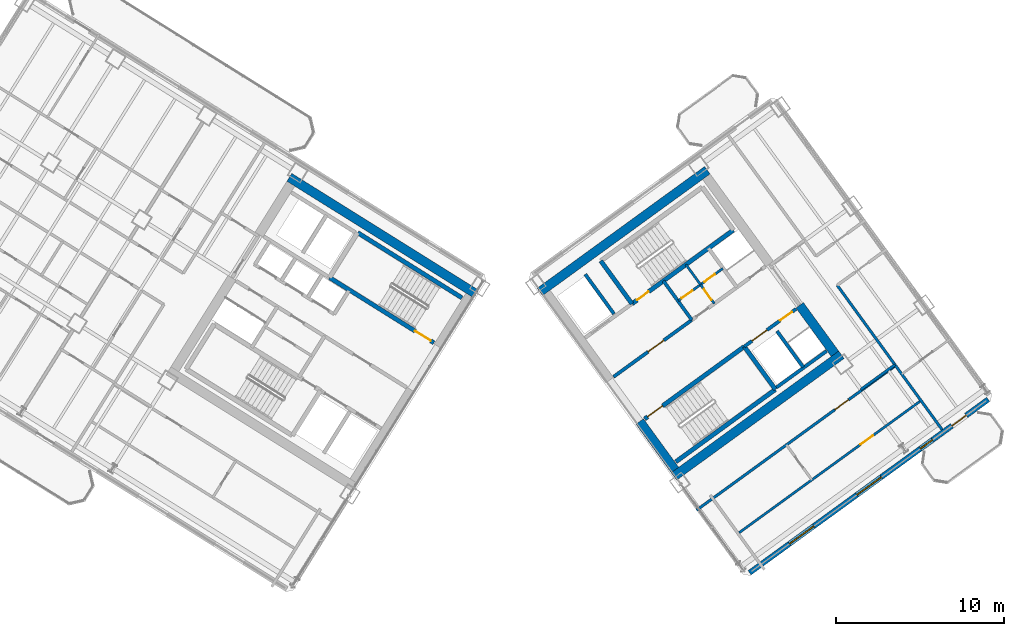
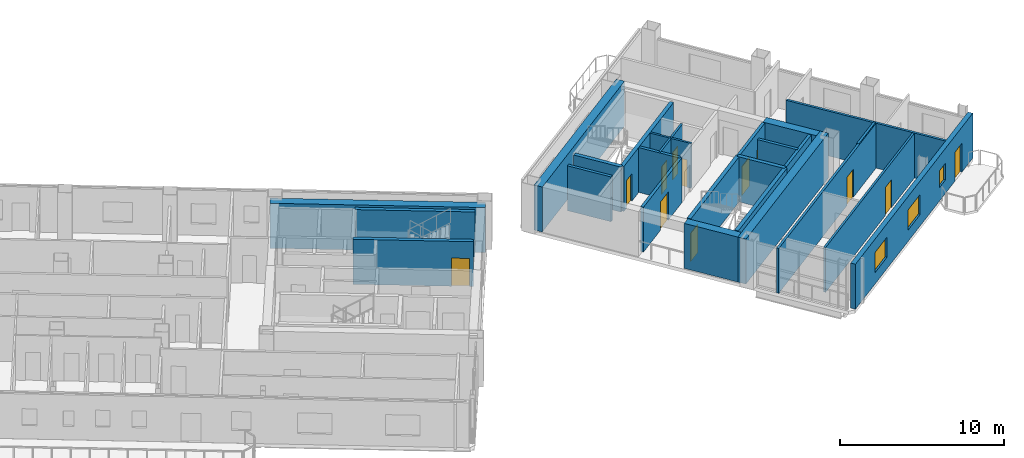
# One storey, part 13 of 19: 26 walls, 12 doors, 3 windows, 15 openings.
"""IFC4 building model written with IfcOpenShell, lengths in metres."""

from ifc_helpers import new_model, si_unit, direction, frame, frame_2d, origin, place, context, subcontext, project, spatial, rectangle, extrude, source, transform, mapped, material, layer, layer_set, type_object, element, fill, save


model = new_model("IFC4")

# Units and contexts
model_context = context("Model", 3, precision=1e-05, world=origin(), true_north=direction((0.0, 1.0)))
body_context = subcontext(model_context, "Body", "Model", "MODEL_VIEW")
ifc_project = project(units=[si_unit("LENGTHUNIT", "METRE"), si_unit("AREAUNIT", "SQUARE_METRE"), si_unit("VOLUMEUNIT", "CUBIC_METRE"), si_unit("PLANEANGLEUNIT", "RADIAN"), si_unit("MASSUNIT", "GRAM", prefix="KILO")], contexts=[model_context])

# Site, building, storey
site_placement = place(None, origin())
site = spatial("IfcSite", under=ifc_project, at=site_placement, CompositionType="ELEMENT")
building_placement = place(site_placement, origin())
building = spatial("IfcBuilding", under=site, at=building_placement, Name="Tlacorven Tower", CompositionType="ELEMENT")
storey_placement = place(building_placement, frame((0.0, 0.0, 144.300048828125)))
storey = spatial("IfcBuildingStorey", under=building, at=storey_placement, Name="L36", CompositionType="ELEMENT", Elevation=144.300048828125)

# Walls
ifc_material_1 = material(Name="Concrete C60/75", Category="concrete")
ifc_layer_1 = layer(ifc_material_1, 0.550048828125)
ifc_layer_set_1 = layer_set([ifc_layer_1], Name="Concrete C60/75")
wall_type_1 = type_object("IfcWallType", Name="WL-COR-550", PredefinedType="SHEAR", material=ifc_layer_set_1)
wall_1_placement = place(storey_placement, frame((40.572998046875, 24.010009765625, 0.0), z_axis=(0.0, 0.0, 1.0), x_axis=(-0.848047359947, 0.529920442413, 0.0)))
element("IfcWall", 1, at=wall_1_placement, inside=storey, type_object=wall_type_1, Name="L36 W core shear wall S1", PredefinedType="SHEAR", context=body_context, shape_type="SweptSolid", body=[
    extrude(rectangle(XDim=13.139892578125, YDim=0.550048828125, at=frame_2d((6.56982421875, 0.0))), origin(), (0.0, 0.0, 1.0), 3.349853515625),
])
for number, where, z_axis, x_axis, name in (
    (2, (52.35888671875, 13.1396484375, 0.0), (0.0, 0.0, 1.0), (0.809014896919, 0.587788139183, 0.0), "L36 E core shear wall S1"),
    (3, (44.364990234375, 24.142333984375, 0.0), (0.0, 0.0, 1.0), (0.809024304885, 0.587775190107, 0.0), "L36 E core shear wall S2"),
):
    element("IfcWall", number, at=place(storey_placement, frame(where, z_axis=z_axis, x_axis=x_axis)), inside=storey, type_object=wall_type_1, Name=name, PredefinedType="SHEAR", context=body_context, shape_type="SweptSolid", body=[
        extrude(rectangle(XDim=12.340087890625, YDim=0.550048828125, at=frame_2d((6.169921875, 0.0))), origin(), (0.0, 0.0, 1.0), 3.349853515625),
    ])
for number, where, z_axis, x_axis, name in (
    (4, (52.419677734375, 13.52392578125, 0.0), (0.0, 0.0, 1.0), (-0.587802113096, 0.809004744015, 0.0), "L36 E core end wall E1.1"),
    (5, (61.9580078125, 20.453857421875, 0.0), (0.0, 0.0, 1.0), (-0.587802113096, 0.809004744015, 0.0), "L36 E core end wall E2.1"),
):
    element("IfcWall", number, at=place(storey_placement, frame(where, z_axis=z_axis, x_axis=x_axis)), inside=storey, type_object=wall_type_1, Name=name, PredefinedType="SHEAR", context=body_context, shape_type="SweptSolid", body=[
        extrude(rectangle(XDim=3.574951171875, YDim=0.550048828125, at=frame_2d((1.78759765625, 0.0))), origin(), (0.0, 0.0, 1.0), 3.349853515625),
    ])
ifc_material_2 = material(Name="Gypsum plasterboard acoustic partition", Category="gypsum")
ifc_layer_2 = layer(ifc_material_2, 0.159912109375)
ifc_layer_set_2 = layer_set([ifc_layer_2], Name="Gypsum plasterboard acoustic partition")
wall_type_2 = type_object("IfcWallType", Name="WL-DEM-160", PredefinedType="PARTITIONING", material=ifc_layer_set_2)
wall_2_placement = place(storey_placement, frame((63.5068359375, 18.322021484375, 0.0), z_axis=(0.0, 0.0, 1.0), x_axis=(0.809034604122, 0.587761013791, 0.0)))
element("IfcWall", 6, at=wall_2_placement, inside=storey, type_object=wall_type_2, Name="L36 partition 76", PredefinedType="PARTITIONING", context=body_context, shape_type="SweptSolid", body=[
    extrude(rectangle(XDim=2.510009765625, YDim=0.159912109375, at=frame_2d((1.2548828125, 0.0))), origin(), (0.0, 0.0, 1.0), 3.33984375),
])
wall_3_placement = place(storey_placement, frame((68.35302734375, 15.922119140625, 0.0), z_axis=(0.0, 0.0, 1.0), x_axis=(-0.587783168305, 0.809018508476, 0.0)))
element("IfcWall", 7, at=wall_3_placement, inside=storey, type_object=wall_type_2, Name="L36 partition 78", PredefinedType="PARTITIONING", context=body_context, shape_type="SweptSolid", body=[
    extrude(rectangle(XDim=10.650146484375, YDim=0.159912109375, at=frame_2d((5.3251953125, 0.0))), origin(), (0.0, 0.0, 1.0), 3.33984375),
])

# Wall, opening, door
wall_4_placement = place(storey_placement, frame((53.70458984375, 11.1259765625, 0.0), z_axis=(0.0, 0.0, 1.0), x_axis=(0.809014504436, 0.587788679384, 0.0)))
wall_4 = element("IfcWall", 8, at=wall_4_placement, inside=storey, type_object=wall_type_2, Name="L36 partition 84", PredefinedType="PARTITIONING", context=body_context, shape_type="SweptSolid", body=[
    extrude(rectangle(XDim=14.669921875, YDim=0.159912109375, at=frame_2d((7.3349609375, 0.0))), origin(), (0.0, 0.0, 1.0), 3.33984375),
])
opening_1_placement = place(wall_4_placement, frame((10.199951171875, 0.0, 0.0)))
opening_1 = element("IfcOpeningElement", 9, at=opening_1_placement, cuts=wall_4, Name="Opening D11", PredefinedType="OPENING", context=body_context, shape_type="SweptSolid", body=[
    extrude(rectangle(XDim=1.0, YDim=2.10009765625, at=frame_2d((0.5, 1.050048828125))), frame((0.0, 0.08984375, 0.0), z_axis=(0.0, -1.0, 0.0), x_axis=(1.0, 0.0, 0.0)), (0.0, 0.0, 1.0), 0.179931640625),
])
ifc_material_3 = material(Name="Fire-rated steel door assembly", Category="steel")
door_type_1 = type_object("IfcDoorType", Name="DR-FLT-FD60-1000", OperationType="NOTDEFINED", PredefinedType="DOOR", material=ifc_material_3)
shared_shape_1 = source(origin(), body_context, "Body", "SweptSolid", [
    extrude(rectangle(XDim=1.0, YDim=2.10009765625, at=frame_2d((0.5, 1.050048828125))), frame((0.0, 0.02490234375, 0.0), z_axis=(0.0, -1.0, 0.0), x_axis=(1.0, 0.0, 0.0)), (0.0, 0.0, 1.0), 0.050048828125),
])
door_1_placement = place(opening_1_placement, origin())
door_1 = element("IfcDoor", 10, at=door_1_placement, inside=storey, type_object=door_type_1, Name="L36 door 053", OperationType="SINGLE_SWING_RIGHT", OverallHeight=2.10009765625, OverallWidth=1.0, PredefinedType="DOOR", context=body_context, shape_type="MappedRepresentation", body=[
    mapped(shared_shape_1, transform((0.0, 0.0, 0.0), scale=1.0)),
])
fill(opening_1, door_1)

# Wall, openings, door, windows
ifc_material_4 = material(Name="Precast concrete C45/55", Category="concrete")
ifc_layer_3 = layer(ifc_material_4, 0.320068359375)
ifc_layer_set_3 = layer_set([ifc_layer_3], Name="Precast concrete C45/55")
wall_type_3 = type_object("IfcWallType", Name="WL-EXT-320", PredefinedType="STANDARD", material=ifc_layer_set_3)
wall_5_placement = place(storey_placement, frame((71.097900390625, 17.73095703125, 0.0), z_axis=(0.0, 0.0, 1.0), x_axis=(-0.809021120468, -0.587779573171, 0.0)))
wall_5 = element("IfcWall", 11, at=wall_5_placement, inside=storey, type_object=wall_type_3, Name="L36 Masonry-Frame Recessed Facade Wall 6", PredefinedType="STANDARD", context=body_context, shape_type="SweptSolid", body=[
    extrude(rectangle(XDim=17.587646484375, YDim=0.320068359375, at=frame_2d((8.7939453125, 0.0))), origin(), (0.0, 0.0, 1.0), 3.349853515625),
])
opening_2_placement = place(wall_5_placement, frame((1.623779296875, 0.0, 0.0)))
opening_2 = element("IfcOpeningElement", 12, at=opening_2_placement, cuts=wall_5, Name="Opening D06", PredefinedType="OPENING", context=body_context, shape_type="SweptSolid", body=[
    extrude(rectangle(XDim=1.050048828125, YDim=2.14990234375, at=frame_2d((0.52490234375, 1.074951171875))), frame((0.0, 0.169921875, 0.0), z_axis=(0.0, -1.0, 0.0), x_axis=(1.0, 0.0, 0.0)), (0.0, 0.0, 1.0), 0.340087890625),
])
opening_3_placement = place(wall_5_placement, frame((4.103759765625, 0.0, 1.0)))
opening_3 = element("IfcOpeningElement", 13, at=opening_3_placement, cuts=wall_5, Name="Opening WN05", PredefinedType="OPENING", context=body_context, shape_type="SweptSolid", body=[
    extrude(rectangle(XDim=0.89990234375, YDim=1.25, at=frame_2d((0.449951171875, 0.625))), frame((0.0, 0.169921875, 0.0), z_axis=(0.0, -1.0, 0.0), x_axis=(1.0, 0.0, 0.0)), (0.0, 0.0, 1.0), 0.340087890625),
])
opening_4_placement = place(wall_5_placement, frame((7.878662109375, 0.0, 0.85009765625)))
opening_4 = element("IfcOpeningElement", 14, at=opening_4_placement, cuts=wall_5, Name="Opening WN01", PredefinedType="OPENING", context=body_context, shape_type="SweptSolid", body=[
    extrude(rectangle(XDim=1.800048828125, YDim=1.5, at=frame_2d((0.89990234375, 0.75))), frame((0.0, 0.169921875, 0.0), z_axis=(0.0, -1.0, 0.0), x_axis=(1.0, 0.0, 0.0)), (0.0, 0.0, 1.0), 0.340087890625),
])
opening_5_placement = place(wall_5_placement, frame((12.8486328125, 0.0, 0.85009765625)))
opening_5 = element("IfcOpeningElement", 15, at=opening_5_placement, cuts=wall_5, Name="Opening WN01", PredefinedType="OPENING", context=body_context, shape_type="SweptSolid", body=[
    extrude(rectangle(XDim=1.800048828125, YDim=1.5, at=frame_2d((0.89990234375, 0.75))), frame((0.0, 0.169921875, 0.0), z_axis=(0.0, -1.0, 0.0), x_axis=(1.0, 0.0, 0.0)), (0.0, 0.0, 1.0), 0.340087890625),
])
ifc_material_5 = material(Name="Powder-coated aluminium and timber door", Category="wood")
door_type_2 = type_object("IfcDoorType", Name="DR-EXT-BALC-1050", OperationType="NOTDEFINED", PredefinedType="DOOR", material=ifc_material_5)
shared_shape_2 = source(origin(), body_context, "Body", "SweptSolid", [
    extrude(rectangle(XDim=1.050048828125, YDim=2.14990234375, at=frame_2d((0.52490234375, 1.074951171875))), frame((0.0, 0.02490234375, 0.0), z_axis=(0.0, -1.0, 0.0), x_axis=(1.0, 0.0, 0.0)), (0.0, 0.0, 1.0), 0.050048828125),
])
door_2_placement = place(opening_2_placement, origin())
door_2 = element("IfcDoor", 16, at=door_2_placement, inside=storey, type_object=door_type_2, Name="L36 Outdoor Access Door BAL-L36-E-OUT", OperationType="SINGLE_SWING_LEFT", OverallHeight=2.14990234375, OverallWidth=1.050048828125, PredefinedType="DOOR", context=body_context, shape_type="MappedRepresentation", body=[
    mapped(shared_shape_2, transform((0.0, 0.0, 0.0), scale=1.0)),
])
fill(opening_2, door_2)
ifc_material_6 = material(Name="Dark solar low-E double glazing in anodised aluminium frame", Category="aluminium")
window_type_1 = type_object("IfcWindowType", Name="WN-APT-1800X1650", PartitioningType="SINGLE_PANEL", PredefinedType="WINDOW", material=ifc_material_6)
shared_shape_3 = source(origin(), body_context, "Body", "SweptSolid", [
    extrude(rectangle(XDim=1.800048828125, YDim=1.5, at=frame_2d((0.89990234375, 0.75))), frame((0.0, 0.030029296875, 0.0), z_axis=(0.0, -1.0, 0.0), x_axis=(1.0, 0.0, 0.0)), (0.0, 0.0, 1.0), 0.06005859375),
])
window_1_placement = place(opening_4_placement, origin())
window_1 = element("IfcWindow", 17, at=window_1_placement, inside=storey, type_object=window_type_1, Name="L36 Recessed Masonry-Frame Window L36-06.2", OverallHeight=1.5, OverallWidth=1.800048828125, PartitioningType="SINGLE_PANEL", PredefinedType="WINDOW", context=body_context, shape_type="MappedRepresentation", body=[
    mapped(shared_shape_3, transform((0.0, 0.0, 0.0), scale=1.0)),
])
fill(opening_4, window_1)
window_2_placement = place(opening_5_placement, origin())
window_2 = element("IfcWindow", 18, at=window_2_placement, inside=storey, type_object=window_type_1, Name="L36 Recessed Masonry-Frame Window L36-06.3", OverallHeight=1.5, OverallWidth=1.800048828125, PartitioningType="SINGLE_PANEL", PredefinedType="WINDOW", context=body_context, shape_type="MappedRepresentation", body=[
    mapped(shared_shape_3, transform((0.0, 0.0, 0.0), scale=1.0)),
])
fill(opening_5, window_2)
window_type_2 = type_object("IfcWindowType", Name="WN-APT-0900X1350", PartitioningType="SINGLE_PANEL", PredefinedType="WINDOW", material=ifc_material_6)
shared_shape_4 = source(origin(), body_context, "Body", "SweptSolid", [
    extrude(rectangle(XDim=0.89990234375, YDim=1.25, at=frame_2d((0.449951171875, 0.625))), frame((0.0, 0.030029296875, 0.0), z_axis=(0.0, -1.0, 0.0), x_axis=(1.0, 0.0, 0.0)), (0.0, 0.0, 1.0), 0.06005859375),
])
window_3_placement = place(opening_3_placement, origin())
window_3 = element("IfcWindow", 19, at=window_3_placement, inside=storey, type_object=window_type_2, Name="L36 Recessed Masonry-Frame Window L36-06.1", OverallHeight=1.25, OverallWidth=0.89990234375, PartitioningType="SINGLE_PANEL", PredefinedType="WINDOW", context=body_context, shape_type="MappedRepresentation", body=[
    mapped(shared_shape_4, transform((0.0, 0.0, 0.0), scale=1.0)),
])
fill(opening_3, window_3)

# Wall, opening, door
ifc_material_7 = material(Name="Moisture-resistant gypsum plumbing wall", Category="gypsum")
ifc_layer_4 = layer(ifc_material_7, 0.139892578125)
ifc_layer_set_4 = layer_set([ifc_layer_4], Name="Moisture-resistant gypsum plumbing wall")
wall_type_4 = type_object("IfcWallType", Name="WL-PLM-140", PredefinedType="PLUMBINGWALL", material=ifc_layer_set_4)
wall_6_placement = place(storey_placement, frame((54.767578125, 23.443359375, 0.0), z_axis=(0.0, 0.0, 1.0), x_axis=(-0.587736077749, 0.809052719489, 0.0)))
wall_6 = element("IfcWall", 20, at=wall_6_placement, inside=storey, type_object=wall_type_4, Name="L36 partition 42", PredefinedType="PLUMBINGWALL", context=body_context, shape_type="SweptSolid", body=[
    extrude(rectangle(XDim=1.39990234375, YDim=0.139892578125, at=frame_2d((0.699951171875, 0.0))), origin(), (0.0, 0.0, 1.0), 3.33984375),
])
opening_6_placement = place(wall_6_placement, frame((0.280029296875, 0.0, 0.0)))
opening_6 = element("IfcOpeningElement", 21, at=opening_6_placement, cuts=wall_6, Name="Opening D22", PredefinedType="OPENING", context=body_context, shape_type="SweptSolid", body=[
    extrude(rectangle(XDim=0.780029296875, YDim=2.050048828125, at=frame_2d((0.39013671875, 1.02490234375))), frame((0.0, 0.080078125, 0.0), z_axis=(0.0, -1.0, 0.0), x_axis=(1.0, 0.0, 0.0)), (0.0, 0.0, 1.0), 0.159912109375),
])
door_type_3 = type_object("IfcDoorType", Name="DR-INT-WET-0780", OperationType="NOTDEFINED", PredefinedType="DOOR", material=ifc_material_5)
shared_shape_5 = source(origin(), body_context, "Body", "SweptSolid", [
    extrude(rectangle(XDim=0.780029296875, YDim=2.050048828125, at=frame_2d((0.39013671875, 1.02490234375))), frame((0.0, 0.02490234375, 0.0), z_axis=(0.0, -1.0, 0.0), x_axis=(1.0, 0.0, 0.0)), (0.0, 0.0, 1.0), 0.050048828125),
])
door_3_placement = place(opening_6_placement, origin())
door_3 = element("IfcDoor", 22, at=door_3_placement, inside=storey, type_object=door_type_3, Name="L36 door 020", OperationType="SINGLE_SWING_RIGHT", OverallHeight=2.050048828125, OverallWidth=0.780029296875, PredefinedType="DOOR", context=body_context, shape_type="MappedRepresentation", body=[
    mapped(shared_shape_5, transform((0.0, 0.0, 0.0), scale=1.0)),
])
fill(opening_6, door_3)

# Wall
wall_7_placement = place(storey_placement, frame((53.94482421875, 24.575927734375, 0.0), z_axis=(0.0, 0.0, 1.0), x_axis=(-0.587897037186, 0.808935766095, 0.0)))
element("IfcWall", 23, at=wall_7_placement, inside=storey, type_object=wall_type_4, Name="L36 partition 43", PredefinedType="PLUMBINGWALL", context=body_context, shape_type="SweptSolid", body=[
    extrude(rectangle(XDim=1.47998046875, YDim=0.139892578125, at=frame_2d((0.739990234375, 0.0))), origin(), (0.0, 0.0, 1.0), 3.33984375),
])

# Wall, openings, doors
wall_8_placement = place(storey_placement, frame((52.617919921875, 23.612060546875, 0.0), z_axis=(0.0, 0.0, 1.0), x_axis=(0.809009587469, 0.587795446889, 0.0)))
wall_8 = element("IfcWall", 24, at=wall_8_placement, inside=storey, type_object=wall_type_4, Name="L36 partition 44", PredefinedType="PLUMBINGWALL", context=body_context, shape_type="SweptSolid", body=[
    extrude(rectangle(XDim=3.280029296875, YDim=0.139892578125, at=frame_2d((1.64013671875, 0.0))), origin(), (0.0, 0.0, 1.0), 3.33984375),
])
opening_7_placement = place(wall_8_placement, frame((0.25, 0.0, 0.0)))
opening_7 = element("IfcOpeningElement", 25, at=opening_7_placement, cuts=wall_8, Name="Opening D22", PredefinedType="OPENING", context=body_context, shape_type="SweptSolid", body=[
    extrude(rectangle(XDim=0.780029296875, YDim=2.050048828125, at=frame_2d((0.39013671875, 1.02490234375))), frame((0.0, 0.080078125, 0.0), z_axis=(0.0, -1.0, 0.0), x_axis=(1.0, 0.0, 0.0)), (0.0, 0.0, 1.0), 0.159912109375),
])
opening_8_placement = place(wall_8_placement, frame((1.919921875, 0.0, 0.0)))
opening_8 = element("IfcOpeningElement", 26, at=opening_8_placement, cuts=wall_8, Name="Opening D22", PredefinedType="OPENING", context=body_context, shape_type="SweptSolid", body=[
    extrude(rectangle(XDim=0.780029296875, YDim=2.050048828125, at=frame_2d((0.39013671875, 1.02490234375))), frame((0.0, 0.080078125, 0.0), z_axis=(0.0, -1.0, 0.0), x_axis=(1.0, 0.0, 0.0)), (0.0, 0.0, 1.0), 0.159912109375),
])
door_4_placement = place(opening_7_placement, origin())
door_4 = element("IfcDoor", 27, at=door_4_placement, inside=storey, type_object=door_type_3, Name="L36 door 021", OperationType="SINGLE_SWING_LEFT", OverallHeight=2.050048828125, OverallWidth=0.780029296875, PredefinedType="DOOR", context=body_context, shape_type="MappedRepresentation", body=[
    mapped(shared_shape_5, transform((0.0, 0.0, 0.0), scale=1.0)),
])
fill(opening_7, door_4)
door_5_placement = place(opening_8_placement, origin())
door_5 = element("IfcDoor", 28, at=door_5_placement, inside=storey, type_object=door_type_3, Name="L36 door 022", OperationType="SINGLE_SWING_RIGHT", OverallHeight=2.050048828125, OverallWidth=0.780029296875, PredefinedType="DOOR", context=body_context, shape_type="MappedRepresentation", body=[
    mapped(shared_shape_5, transform((0.0, 0.0, 0.0), scale=1.0)),
])
fill(opening_8, door_5)

# Wall, opening, door
wall_9_placement = place(storey_placement, frame((56.24853515625, 9.78515625, 0.0), z_axis=(0.0, 0.0, 1.0), x_axis=(0.809011747655, 0.587792473715, 0.0)))
wall_9 = element("IfcWall", 29, at=wall_9_placement, inside=storey, type_object=wall_type_4, Name="L36 partition 86", PredefinedType="PLUMBINGWALL", context=body_context, shape_type="SweptSolid", body=[
    extrude(rectangle(XDim=13.400146484375, YDim=0.139892578125, at=frame_2d((6.7001953125, 0.0))), origin(), (0.0, 0.0, 1.0), 3.33984375),
])
opening_9_placement = place(wall_9_placement, frame((8.93994140625, 0.0, 0.0)))
opening_9 = element("IfcOpeningElement", 30, at=opening_9_placement, cuts=wall_9, Name="Opening D12", PredefinedType="OPENING", context=body_context, shape_type="SweptSolid", body=[
    extrude(rectangle(XDim=0.919921875, YDim=2.080078125, at=frame_2d((0.4599609375, 1.0400390625))), frame((0.0, 0.080078125, 0.0), z_axis=(0.0, -1.0, 0.0), x_axis=(1.0, 0.0, 0.0)), (0.0, 0.0, 1.0), 0.159912109375),
])
door_type_4 = type_object("IfcDoorType", Name="DR-INT-ROOM-0920", OperationType="NOTDEFINED", PredefinedType="DOOR", material=ifc_material_5)
shared_shape_6 = source(origin(), body_context, "Body", "SweptSolid", [
    extrude(rectangle(XDim=0.919921875, YDim=2.080078125, at=frame_2d((0.4599609375, 1.0400390625))), frame((0.0, 0.02490234375, 0.0), z_axis=(0.0, -1.0, 0.0), x_axis=(1.0, 0.0, 0.0)), (0.0, 0.0, 1.0), 0.050048828125),
])
door_6_placement = place(opening_9_placement, origin())
door_6 = element("IfcDoor", 31, at=door_6_placement, inside=storey, type_object=door_type_4, Name="L36 door 054", OperationType="SINGLE_SWING_LEFT", OverallHeight=2.080078125, OverallWidth=0.919921875, PredefinedType="DOOR", context=body_context, shape_type="MappedRepresentation", body=[
    mapped(shared_shape_6, transform((0.0, 0.0, 0.0), scale=1.0)),
])
fill(opening_9, door_6)

ifc_material_8 = material(Name="Concrete C40/50", Category="concrete")
ifc_layer_5 = layer(ifc_material_8, 0.199951171875)
ifc_layer_set_5 = layer_set([ifc_layer_5], Name="Concrete C40/50")
wall_type_5 = type_object("IfcWallType", Name="WL-SHF-200", PredefinedType="STANDARD", material=ifc_layer_set_5)
wall_10_placement = place(storey_placement, frame((48.75830078125, 19.0771484375, 0.0), z_axis=(0.0, 0.0, 1.0), x_axis=(0.809005065155, 0.587801671104, 0.0)))
wall_10 = element("IfcWall", 32, at=wall_10_placement, inside=storey, type_object=wall_type_5, Name="L36 Core E Smoke Lobby Wall", PredefinedType="STANDARD", context=body_context, shape_type="SweptSolid", body=[
    extrude(rectangle(XDim=5.767822265625, YDim=0.199951171875, at=frame_2d((2.8837890625, 0.0))), origin(), (0.0, 0.0, 1.0), 3.33984375),
])
opening_10_placement = place(wall_10_placement, frame((2.548095703125, 0.0, 0.0)))
opening_10 = element("IfcOpeningElement", 33, at=opening_10_placement, cuts=wall_10, Name="Opening D09", PredefinedType="OPENING", context=body_context, shape_type="SweptSolid", body=[
    extrude(rectangle(XDim=1.14990234375, YDim=2.10009765625, at=frame_2d((0.574951171875, 1.050048828125))), frame((0.0, 0.10986328125, 0.0), z_axis=(0.0, -1.0, 0.0), x_axis=(1.0, 0.0, 0.0)), (0.0, 0.0, 1.0), 0.219970703125),
])
door_type_5 = type_object("IfcDoorType", Name="DR-FFL-FD60-1150", OperationType="NOTDEFINED", PredefinedType="DOOR", material=ifc_material_3)
shared_shape_7 = source(origin(), body_context, "Body", "SweptSolid", [
    extrude(rectangle(XDim=1.14990234375, YDim=2.10009765625, at=frame_2d((0.574951171875, 1.050048828125))), frame((0.0, 0.02490234375, 0.0), z_axis=(0.0, -1.0, 0.0), x_axis=(1.0, 0.0, 0.0)), (0.0, 0.0, 1.0), 0.050048828125),
])
door_7_placement = place(opening_10_placement, origin())
door_7 = element("IfcDoor", 34, at=door_7_placement, inside=storey, type_object=door_type_5, Name="L36 Firefighting Lobby E Fire Door", OperationType="SINGLE_SWING_RIGHT", OverallHeight=2.10009765625, OverallWidth=1.14990234375, PredefinedType="DOOR", context=body_context, shape_type="MappedRepresentation", body=[
    mapped(shared_shape_7, transform((0.0, 0.0, 0.0), scale=1.0)),
])
fill(opening_10, door_7)

# Wall, openings, doors
wall_11_placement = place(storey_placement, frame((56.552978515625, 20.884033203125, 0.0), z_axis=(0.0, 0.0, 1.0), x_axis=(0.809023564264, 0.58777620951, 0.0)))
wall_11 = element("IfcWall", 35, at=wall_11_placement, inside=storey, type_object=wall_type_5, Name="L36 Core E South Lift Shaft Wall", PredefinedType="STANDARD", context=body_context, shape_type="SweptSolid", body=[
    extrude(rectangle(XDim=3.818115234375, YDim=0.199951171875, at=frame_2d((1.9091796875, 0.0))), origin(), (0.0, 0.0, 1.0), 3.33984375),
])
opening_11_placement = place(wall_11_placement, frame((0.570068359375, 0.0, 0.0)))
opening_11 = element("IfcOpeningElement", 36, at=opening_11_placement, cuts=wall_11, Name="Opening LD01", PredefinedType="OPENING", context=body_context, shape_type="SweptSolid", body=[
    extrude(rectangle(XDim=1.10009765625, YDim=2.14990234375, at=frame_2d((0.550048828125, 1.074951171875))), frame((0.0, 0.10986328125, 0.0), z_axis=(0.0, -1.0, 0.0), x_axis=(1.0, 0.0, 0.0)), (0.0, 0.0, 1.0), 0.219970703125),
])
opening_12_placement = place(wall_11_placement, frame((2.64990234375, 0.0, 0.0)))
opening_12 = element("IfcOpeningElement", 37, at=opening_12_placement, cuts=wall_11, Name="Opening D19", PredefinedType="OPENING", context=body_context, shape_type="SweptSolid", body=[
    extrude(rectangle(XDim=0.860107421875, YDim=2.050048828125, at=frame_2d((0.43017578125, 1.02490234375))), frame((0.0, 0.10986328125, 0.0), z_axis=(0.0, -1.0, 0.0), x_axis=(1.0, 0.0, 0.0)), (0.0, 0.0, 1.0), 0.219970703125),
])
door_type_6 = type_object("IfcDoorType", Name="DR-RSR-FD60-0860", OperationType="NOTDEFINED", PredefinedType="DOOR", material=ifc_material_3)
shared_shape_8 = source(origin(), body_context, "Body", "SweptSolid", [
    extrude(rectangle(XDim=0.860107421875, YDim=2.050048828125, at=frame_2d((0.43017578125, 1.02490234375))), frame((0.0, 0.02490234375, 0.0), z_axis=(0.0, -1.0, 0.0), x_axis=(1.0, 0.0, 0.0)), (0.0, 0.0, 1.0), 0.050048828125),
])
door_8_placement = place(opening_12_placement, origin())
door_8 = element("IfcDoor", 38, at=door_8_placement, inside=storey, type_object=door_type_6, Name="L36 Smoke Extract Riser Access Door", OperationType="SINGLE_SWING_LEFT", OverallHeight=2.050048828125, OverallWidth=0.860107421875, PredefinedType="DOOR", context=body_context, shape_type="MappedRepresentation", body=[
    mapped(shared_shape_8, transform((0.0, 0.0, 0.0), scale=1.0)),
])
fill(opening_12, door_8)
door_type_7 = type_object("IfcDoorType", Name="DR-LFT-SLID-1100", OperationType="DOUBLE_DOOR_SLIDING", PredefinedType="DOOR", material=ifc_material_3)
shared_shape_9 = source(origin(), body_context, "Body", "SweptSolid", [
    extrude(rectangle(XDim=1.10009765625, YDim=2.14990234375, at=frame_2d((0.550048828125, 1.074951171875))), frame((0.0, 0.02490234375, 0.0), z_axis=(0.0, -1.0, 0.0), x_axis=(1.0, 0.0, 0.0)), (0.0, 0.0, 1.0), 0.050048828125),
])
door_9_placement = place(opening_11_placement, origin())
door_9 = element("IfcDoor", 39, at=door_9_placement, inside=storey, type_object=door_type_7, Name="L36 Lift PL-M4 Sliding Landing Door", OperationType="DOUBLE_DOOR_SLIDING", OverallHeight=2.14990234375, OverallWidth=1.10009765625, PredefinedType="DOOR", context=body_context, shape_type="MappedRepresentation", body=[
    mapped(shared_shape_9, transform((0.0, 0.0, 0.0), scale=1.0)),
])
fill(opening_11, door_9)

# Walls
wall_12_placement = place(storey_placement, frame((48.78564453125, 22.830078125, 0.0), z_axis=(0.0, 0.0, 1.0), x_axis=(-0.587783856777, 0.809018008275, 0.0)))
element("IfcWall", 40, at=wall_12_placement, inside=storey, type_object=wall_type_5, Name="L36 partition 34", PredefinedType="STANDARD", context=body_context, shape_type="SweptSolid", body=[
    extrude(rectangle(XDim=2.919921875, YDim=0.199951171875, at=frame_2d((1.4599609375, 0.0))), origin(), (0.0, 0.0, 1.0), 3.33984375),
])
wall_13_placement = place(storey_placement, frame((60.066650390625, 19.654541015625, 0.0), z_axis=(0.0, 0.0, 1.0), x_axis=(-0.587800520745, 0.809005900975, 0.0)))
element("IfcWall", 41, at=wall_13_placement, inside=storey, type_object=wall_type_5, Name="L36 partition 35", PredefinedType="STANDARD", context=body_context, shape_type="SweptSolid", body=[
    extrude(rectangle(XDim=2.659912109375, YDim=0.199951171875, at=frame_2d((1.330078125, 0.0))), origin(), (0.0, 0.0, 1.0), 3.33984375),
])
wall_14_placement = place(storey_placement, frame((58.47216796875, 18.446533203125, 0.0), z_axis=(0.0, 0.0, 1.0), x_axis=(0.809018631237, 0.587782999339, 0.0)))
element("IfcWall", 42, at=wall_14_placement, inside=storey, type_object=wall_type_5, Name="L36 partition 37", PredefinedType="STANDARD", context=body_context, shape_type="SweptSolid", body=[
    extrude(rectangle(XDim=3.697998046875, YDim=0.199951171875, at=frame_2d((1.84912109375, 0.0))), origin(), (0.0, 0.0, 1.0), 3.33984375),
])
wall_15_placement = place(storey_placement, frame((53.424560546875, 22.467529296875, 0.0), z_axis=(0.0, 0.0, 1.0), x_axis=(-0.5877230039, 0.809062216821, 0.0)))
element("IfcWall", 43, at=wall_15_placement, inside=storey, type_object=wall_type_5, Name="L36 partition 39", PredefinedType="STANDARD", context=body_context, shape_type="SweptSolid", body=[
    extrude(rectangle(XDim=2.8798828125, YDim=0.199951171875, at=frame_2d((1.43994140625, 0.0))), origin(), (0.0, 0.0, 1.0), 3.33984375),
])
ifc_material_9 = material(Name="Concrete C50/60", Category="concrete")
ifc_layer_6 = layer(ifc_material_9, 0.260009765625)
ifc_layer_set_6 = layer_set([ifc_layer_6], Name="Concrete C50/60")
wall_type_6 = type_object("IfcWallType", Name="WL-STW-260", PredefinedType="SHEAR", material=ifc_layer_set_6)
wall_16_placement = place(storey_placement, frame((39.720947265625, 23.787841796875, 0.0), z_axis=(0.0, 0.0, 1.0), x_axis=(-0.848054434086, 0.529909121291, 0.0)))
element("IfcWall", 44, at=wall_16_placement, inside=storey, type_object=wall_type_6, Name="L36 Stair W2 Far Shear Wall", PredefinedType="SHEAR", context=body_context, shape_type="SweptSolid", body=[
    extrude(rectangle(XDim=7.330078125, YDim=0.260009765625, at=frame_2d((3.6650390625, 0.0))), origin(), (0.0, 0.0, 1.0), 3.349853515625),
])

# Wall, opening, door
wall_17_placement = place(storey_placement, frame((38.04638671875, 21.10791015625, 0.0), z_axis=(0.0, 0.0, 1.0), x_axis=(-0.848054434086, 0.529909121291, 0.0)))
wall_17 = element("IfcWall", 45, at=wall_17_placement, inside=storey, type_object=wall_type_6, Name="L36 Stair W2 Lobby Shear Wall", PredefinedType="SHEAR", context=body_context, shape_type="SweptSolid", body=[
    extrude(rectangle(XDim=7.330078125, YDim=0.260009765625, at=frame_2d((3.6650390625, 0.0))), origin(), (0.0, 0.0, 1.0), 3.349853515625),
])
opening_13_placement = place(wall_17_placement, frame((0.219970703125, 0.0, 0.0)))
opening_13 = element("IfcOpeningElement", 46, at=opening_13_placement, cuts=wall_17, Name="Opening D07", PredefinedType="OPENING", context=body_context, shape_type="SweptSolid", body=[
    extrude(rectangle(XDim=1.10009765625, YDim=2.10009765625, at=frame_2d((0.550048828125, 1.050048828125))), frame((0.0, 0.14013671875, 0.0), z_axis=(0.0, -1.0, 0.0), x_axis=(1.0, 0.0, 0.0)), (0.0, 0.0, 1.0), 0.280029296875),
])
door_type_8 = type_object("IfcDoorType", Name="DR-STR-FD90-1100", OperationType="NOTDEFINED", PredefinedType="DOOR", material=ifc_material_3)
shared_shape_10 = source(origin(), body_context, "Body", "SweptSolid", [
    extrude(rectangle(XDim=1.10009765625, YDim=2.10009765625, at=frame_2d((0.550048828125, 1.050048828125))), frame((0.0, 0.02490234375, 0.0), z_axis=(0.0, -1.0, 0.0), x_axis=(1.0, 0.0, 0.0)), (0.0, 0.0, 1.0), 0.050048828125),
])
door_10_placement = place(opening_13_placement, origin())
door_10 = element("IfcDoor", 47, at=door_10_placement, inside=storey, type_object=door_type_8, Name="L36 Exit Stair W2 Fire Door", OperationType="SINGLE_SWING_LEFT", OverallHeight=2.10009765625, OverallWidth=1.10009765625, PredefinedType="DOOR", context=body_context, shape_type="MappedRepresentation", body=[
    mapped(shared_shape_10, transform((0.0, 0.0, 0.0), scale=1.0)),
])
fill(opening_13, door_10)

wall_18_placement = place(storey_placement, frame((49.863037109375, 23.439697265625, 0.0), z_axis=(0.0, 0.0, 1.0), x_axis=(0.809003474932, 0.587803859759, 0.0)))
wall_18 = element("IfcWall", 48, at=wall_18_placement, inside=storey, type_object=wall_type_6, Name="L36 Stair E1 Lobby Shear Wall", PredefinedType="SHEAR", context=body_context, shape_type="SweptSolid", body=[
    extrude(rectangle(XDim=7.4599609375, YDim=0.260009765625, at=frame_2d((3.72998046875, 0.0))), origin(), (0.0, 0.0, 1.0), 3.349853515625),
])
opening_14_placement = place(wall_18_placement, frame((0.360107421875, 0.0, 0.0)))
opening_14 = element("IfcOpeningElement", 49, at=opening_14_placement, cuts=wall_18, Name="Opening D19", PredefinedType="OPENING", context=body_context, shape_type="SweptSolid", body=[
    extrude(rectangle(XDim=0.860107421875, YDim=2.050048828125, at=frame_2d((0.43017578125, 1.02490234375))), frame((0.0, 0.14013671875, 0.0), z_axis=(0.0, -1.0, 0.0), x_axis=(1.0, 0.0, 0.0)), (0.0, 0.0, 1.0), 0.280029296875),
])
door_11_placement = place(opening_14_placement, frame((0.860107421875, 0.0, 0.0), z_axis=(0.0, 0.0, 1.0), x_axis=(-1.0, 0.0, 0.0)))
door_11 = element("IfcDoor", 50, at=door_11_placement, inside=storey, type_object=door_type_6, Name="L36 Exit Stair E1 Fire Door", OperationType="SINGLE_SWING_LEFT", OverallHeight=2.050048828125, OverallWidth=0.860107421875, PredefinedType="DOOR", context=body_context, shape_type="MappedRepresentation", body=[
    mapped(shared_shape_8, transform((0.0, 0.0, 0.0), scale=1.0)),
])
fill(opening_14, door_11)

# Walls
wall_19_placement = place(storey_placement, frame((49.85498046875, 23.433837890625, 0.0), z_axis=(0.0, 0.0, 1.0), x_axis=(-0.58776738483, 0.809029975545, 0.0)))
element("IfcWall", 51, at=wall_19_placement, inside=storey, type_object=wall_type_6, Name="L36 Stair E1 West Shear Wall", PredefinedType="SHEAR", context=body_context, shape_type="SweptSolid", body=[
    extrude(rectangle(XDim=3.16015625, YDim=0.260009765625, at=frame_2d((1.580078125, 0.0))), origin(), (0.0, 0.0, 1.0), 3.349853515625),
])
wall_20_placement = place(storey_placement, frame((52.47216796875, 14.01318359375, 0.0), z_axis=(0.0, 0.0, 1.0), x_axis=(0.809028366311, 0.587769599847, 0.0)))
element("IfcWall", 52, at=wall_20_placement, inside=storey, type_object=wall_type_6, Name="L36 Stair E2 Far Shear Wall", PredefinedType="SHEAR", context=body_context, shape_type="SweptSolid", body=[
    extrude(rectangle(XDim=7.330078125, YDim=0.260009765625, at=frame_2d((3.6650390625, 0.0))), origin(), (0.0, 0.0, 1.0), 3.349853515625),
])

# Wall, opening, door
wall_21_placement = place(storey_placement, frame((50.61474609375, 16.569580078125, 0.0), z_axis=(0.0, 0.0, 1.0), x_axis=(0.809028366311, 0.587769599847, 0.0)))
wall_21 = element("IfcWall", 53, at=wall_21_placement, inside=storey, type_object=wall_type_6, Name="L36 Stair E2 Lobby Shear Wall", PredefinedType="SHEAR", context=body_context, shape_type="SweptSolid", body=[
    extrude(rectangle(XDim=7.330078125, YDim=0.260009765625, at=frame_2d((3.6650390625, 0.0))), origin(), (0.0, 0.0, 1.0), 3.349853515625),
])
opening_15_placement = place(wall_21_placement, frame((0.219970703125, 0.0, 0.0)))
opening_15 = element("IfcOpeningElement", 54, at=opening_15_placement, cuts=wall_21, Name="Opening D07", PredefinedType="OPENING", context=body_context, shape_type="SweptSolid", body=[
    extrude(rectangle(XDim=1.10009765625, YDim=2.10009765625, at=frame_2d((0.550048828125, 1.050048828125))), frame((0.0, 0.14013671875, 0.0), z_axis=(0.0, -1.0, 0.0), x_axis=(1.0, 0.0, 0.0)), (0.0, 0.0, 1.0), 0.280029296875),
])
door_12_placement = place(opening_15_placement, origin())
door_12 = element("IfcDoor", 55, at=door_12_placement, inside=storey, type_object=door_type_8, Name="L36 Exit Stair E2 Fire Door", OperationType="SINGLE_SWING_LEFT", OverallHeight=2.10009765625, OverallWidth=1.10009765625, PredefinedType="DOOR", context=body_context, shape_type="MappedRepresentation", body=[
    mapped(shared_shape_10, transform((0.0, 0.0, 0.0), scale=1.0)),
])
fill(opening_15, door_12)

# Wall
wall_22_placement = place(storey_placement, frame((58.410400390625, 18.327392578125, 0.0), z_axis=(0.0, 0.0, 1.0), x_axis=(-0.58776738483, 0.809029975545, 0.0)))
element("IfcWall", 56, at=wall_22_placement, inside=storey, type_object=wall_type_6, Name="L36 Stair E2 East Shear Wall", PredefinedType="SHEAR", context=body_context, shape_type="SweptSolid", body=[
    extrude(rectangle(XDim=3.16015625, YDim=0.260009765625, at=frame_2d((1.580078125, 0.0))), origin(), (0.0, 0.0, 1.0), 3.349853515625),
])

save(model, "model.ifc")
